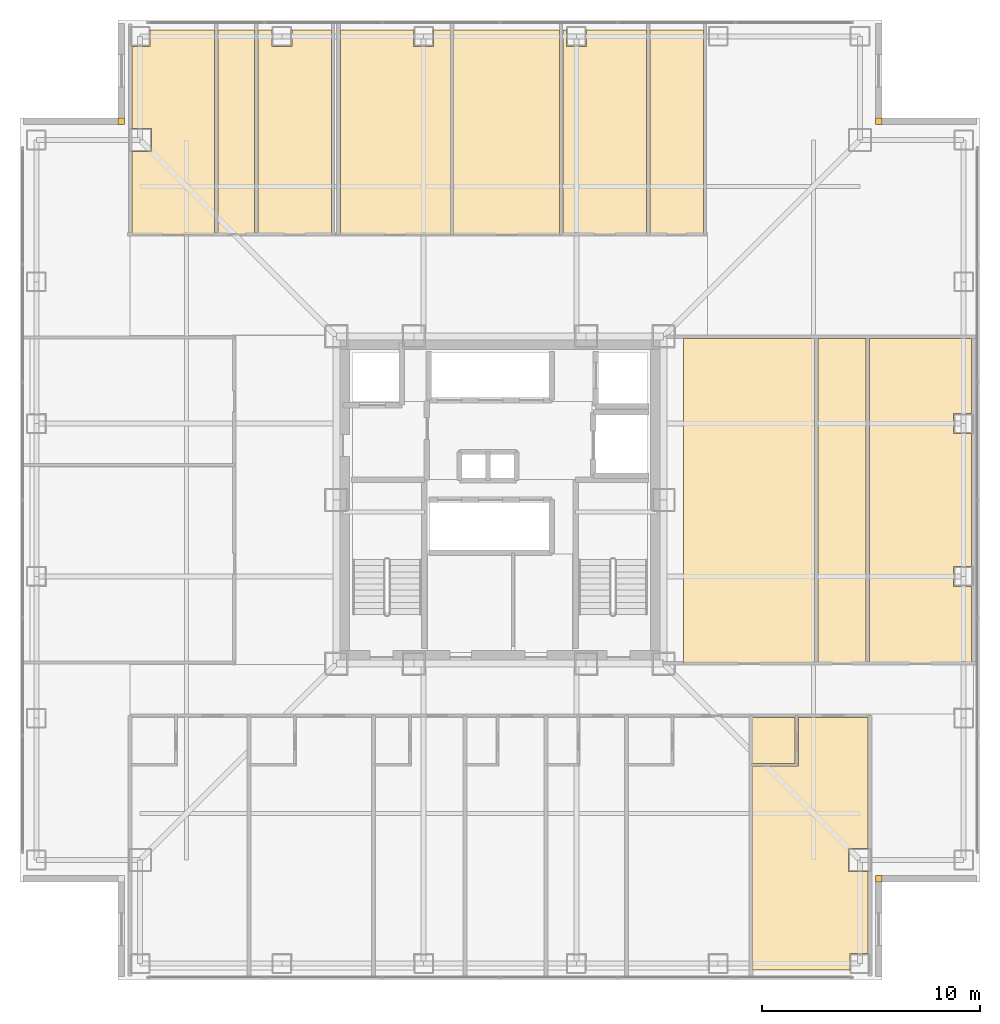
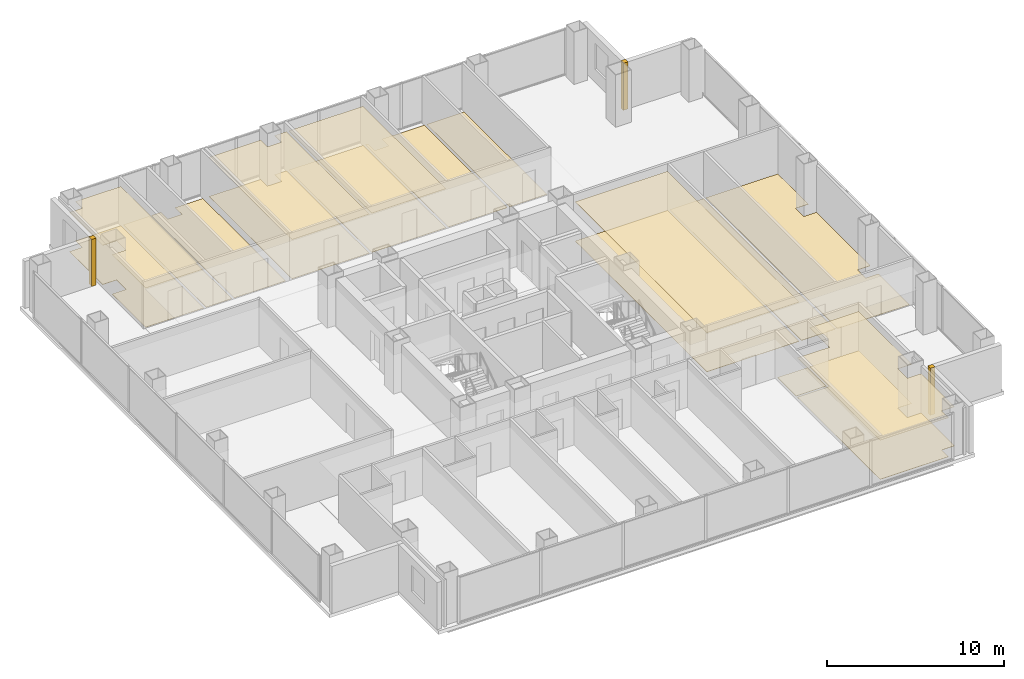
# One storey, part 18 of 18: 20 coverings.
"""IFC4 building model written with IfcOpenShell, lengths in metres."""

import ifcopenshell
import ifcopenshell.guid

model = None  # the IFC model being written
_history = None  # IfcOwnerHistory: only IFC2X3 demands one
_inside = {}  # id of a spatial element -> (the spatial element, [elements in it])
_under = {}  # id of a project, library or spatial element -> (it, [spatial elements below it])
_declared = {}  # id of a project -> (the project, [libraries it declares])
_typed = {}  # id of a type object -> (the type object, [elements of that type])
_made_of = {}  # id of a material, layer set ... -> (it, [elements and type objects made of it])


def new_model(schema):
    """Start an empty IFC model of exactly this schema.

    Asked for "IFC4X3", IfcOpenShell would pick the latest addendum, in which some entities
    have other attributes; the version numbers below select the first issue.
    IFC2X3 requires an IfcOwnerHistory on every rooted entity: one is made here for all.
    """
    global model, _history
    if schema == "IFC4X3":
        model = ifcopenshell.file(schema_version=(4, 3, 0, 0))
    else:
        model = ifcopenshell.file(schema=schema)
    _inside.clear()
    _under.clear()
    _declared.clear()
    _typed.clear()
    _made_of.clear()
    _history = None
    if model.schema == "IFC2X3":
        org = make("IfcOrganization", Name="unknown")
        user = make(
            "IfcPersonAndOrganization",
            ThePerson=make("IfcPerson", FamilyName="unknown"),
            TheOrganization=org,
        )
        app = make(
            "IfcApplication",
            ApplicationDeveloper=org,
            Version="unknown",
            ApplicationFullName="unknown",
            ApplicationIdentifier="unknown",
        )
        _history = make(
            "IfcOwnerHistory",
            OwningUser=user,
            OwningApplication=app,
            ChangeAction="ADDED",
            CreationDate=0,
        )
    return model


def make(cls, **values):
    """One entity of the class cls with the attributes given. An attribute that is None is left unset."""
    return model.create_entity(
        cls, **{name: value for name, value in values.items() if value is not None}
    )


def rooted(cls, **values):
    """An entity with a GlobalId (a new one), such as an element, a storey or a relation."""
    return make(cls, GlobalId=ifcopenshell.guid.new(), OwnerHistory=_history, **values)


def si_unit(unit_type, name, prefix=None):
    """IfcSIUnit, for example si_unit("LENGTHUNIT", "METRE", prefix="MILLI")."""
    return make("IfcSIUnit", UnitType=unit_type, Prefix=prefix, Name=name)


def assignment(units):
    """IfcUnitAssignment: the units of a project."""
    return None if units is None else make("IfcUnitAssignment", Units=units)


def point(xyz):
    """IfcCartesianPoint."""
    return None if xyz is None else make("IfcCartesianPoint", Coordinates=xyz)


def direction(xyz):
    """IfcDirection."""
    return None if xyz is None else make("IfcDirection", DirectionRatios=xyz)


def frame(location, z_axis=None, x_axis=None):
    """IfcAxis2Placement3D, a coordinate frame: its origin and axes. An axis left out is left unset."""
    return make(
        "IfcAxis2Placement3D",
        Location=point(location),
        Axis=direction(z_axis),
        RefDirection=direction(x_axis),
    )


def origin():
    """The frame at (0, 0, 0) with its axes left unset."""
    return frame((0.0, 0.0, 0.0))


def place(relative_to, where):
    """IfcLocalPlacement: puts the frame where relative to a parent placement (None: the world)."""
    return make(
        "IfcLocalPlacement", PlacementRelTo=relative_to, RelativePlacement=where
    )


def context(
    kind, dimensions, precision=None, world=None, true_north=None, identifier=None
):
    """IfcGeometricRepresentationContext, for example the 3D "Model" context."""
    return make(
        "IfcGeometricRepresentationContext",
        ContextIdentifier=identifier,
        ContextType=kind,
        CoordinateSpaceDimension=dimensions,
        Precision=precision,
        WorldCoordinateSystem=world,
        TrueNorth=true_north,
    )


def subcontext(parent, identifier, kind, view, scale=None):
    """IfcGeometricRepresentationSubContext, for example "Body" below "Model"."""
    return make(
        "IfcGeometricRepresentationSubContext",
        ContextIdentifier=identifier,
        ContextType=kind,
        ParentContext=parent,
        TargetScale=scale,
        TargetView=view,
    )


def project(units=None, contexts=None):
    """IfcProject with its units and contexts."""
    return rooted(
        "IfcProject",
        Name="project",
        RepresentationContexts=contexts,
        UnitsInContext=assignment(units),
    )


def spatial(cls, under=None, at=None, **own):
    """A site, building, storey or space (cls), placed at a placement, below another one or the project."""
    s = rooted(cls, ObjectPlacement=at, **own)
    if under is not None:
        _under.setdefault(under.id(), (under, []))[1].append(s)
    return s


def polyline(points):
    """IfcPolyline through the points."""
    return make("IfcPolyline", Points=[point(p) for p in points])


def outline(outer, holes=None, kind="AREA"):
    """IfcArbitraryClosedProfileDef: a profile drawn as a closed curve; with holes, ...WithVoids."""
    if holes is None:
        return make("IfcArbitraryClosedProfileDef", ProfileType=kind, OuterCurve=outer)
    return make(
        "IfcArbitraryProfileDefWithVoids",
        ProfileType=kind,
        OuterCurve=outer,
        InnerCurves=holes,
    )


def extrude(swept, where, along, depth):
    """IfcExtrudedAreaSolid: the profile swept, set in the frame where, extruded along a direction by depth."""
    return make(
        "IfcExtrudedAreaSolid",
        SweptArea=swept,
        Position=where,
        ExtrudedDirection=direction(along),
        Depth=depth,
    )


def shape(context_of_items, identifier, shape_type, items):
    """IfcShapeRepresentation: the items that make up one representation, for example the "Body"."""
    return make(
        "IfcShapeRepresentation",
        ContextOfItems=context_of_items,
        RepresentationIdentifier=identifier,
        RepresentationType=shape_type,
        Items=items,
    )


def material(Name=None, Category=None):
    """IfcMaterial."""
    return make("IfcMaterial", Name=Name, Category=Category)


def layer(
    of_material, thickness, ventilated=None, Name=None, Category=None, Priority=None
):
    """IfcMaterialLayer: one layer of a wall or slab, of a material (None: an air gap)."""
    return make(
        "IfcMaterialLayer",
        Material=of_material,
        LayerThickness=thickness,
        IsVentilated=ventilated,
        Name=Name,
        Category=Category,
        Priority=Priority,
    )


def layer_set(layers, Name=None):
    """IfcMaterialLayerSet."""
    return make("IfcMaterialLayerSet", MaterialLayers=layers, LayerSetName=Name)


def made_of(thing, what):
    """Note that an element or type object is made of a material, layer set ...; save() writes the relation."""
    if what is not None:
        _made_of.setdefault(what.id(), (what, []))[1].append(thing)
    return thing


def type_object(cls, material=None, **own):
    """A type object (cls), such as IfcWallType, which elements share."""
    return made_of(rooted(cls, **own), material)


def element(
    cls,
    number,
    at=None,
    inside=None,
    cuts=None,
    type_object=None,
    material=None,
    context=None,
    identifier="Body",
    shape_type=None,
    held_by="IfcProductDefinitionShape",
    body=None,
    shapes=None,
    **own,
):
    """One element of the class cls, such as IfcWall. Its Tag is "e" and its number.

    at: its placement. inside: the storey or other place that contains it. cuts: it is an
    opening in that element (IfcRelVoidsElement). A single representation is given by context,
    identifier, shape_type and body (its items); several are given by shapes. held_by: the class
    of the entity that holds the representations. save() writes the other relations.
    """
    e = rooted(cls, Tag="e%d" % number, ObjectPlacement=at, **own)
    if body is not None:
        shapes = [shape(context, identifier, shape_type, body)]
    if shapes is not None:
        e.Representation = make(held_by, Representations=shapes)
    if inside is not None:
        _inside.setdefault(inside.id(), (inside, []))[1].append(e)
    if cuts is not None:
        rooted(
            "IfcRelVoidsElement", RelatingBuildingElement=cuts, RelatedOpeningElement=e
        )
    if type_object is not None:
        _typed.setdefault(type_object.id(), (type_object, []))[1].append(e)
    return made_of(e, material)


def aggregate(whole, parts):
    """IfcRelAggregates: a whole, such as a stair, and the parts it consists of."""
    return rooted("IfcRelAggregates", RelatingObject=whole, RelatedObjects=parts)


def save(model, path):
    """Write the relations noted so far, then the file.

    IfcRelAggregates (storeys below a building ...), IfcRelContainedInSpatialStructure (elements
    in a storey), IfcRelDefinesByType, IfcRelAssociatesMaterial and IfcRelDeclares: one each for
    every whole, place, type object, material and project.
    """
    for whole, parts in _under.values():
        aggregate(whole, parts)
    for where, things in _inside.values():
        rooted(
            "IfcRelContainedInSpatialStructure",
            RelatedElements=things,
            RelatingStructure=where,
        )
    for kind, things in _typed.values():
        rooted("IfcRelDefinesByType", RelatedObjects=things, RelatingType=kind)
    for what, things in _made_of.values():
        rooted("IfcRelAssociatesMaterial", RelatedObjects=things, RelatingMaterial=what)
    for by, libraries in _declared.values():
        rooted("IfcRelDeclares", RelatingContext=by, RelatedDefinitions=libraries)
    model.write(path)


model = new_model("IFC4")

# Units and contexts
model_context = context("Model", 3, precision=1e-05, world=origin(), true_north=direction((0.0, 1.0)))
body_context = subcontext(model_context, "Body", "Model", "MODEL_VIEW")
ifc_project = project(units=[si_unit("LENGTHUNIT", "METRE"), si_unit("AREAUNIT", "SQUARE_METRE"), si_unit("VOLUMEUNIT", "CUBIC_METRE"), si_unit("PLANEANGLEUNIT", "RADIAN"), si_unit("MASSUNIT", "GRAM", prefix="KILO")], contexts=[model_context])

# Site, building, storey
site_placement = place(None, origin())
site = spatial("IfcSite", under=ifc_project, at=site_placement, CompositionType="ELEMENT")
building_placement = place(site_placement, origin())
building = spatial("IfcBuilding", under=site, at=building_placement, Name="Trevonay Congress Spire", CompositionType="ELEMENT")
storey_placement = place(building_placement, frame((0.0, 0.0, 151.60009765625)))
storey = spatial("IfcBuildingStorey", under=building, at=storey_placement, Name="L39", CompositionType="ELEMENT", Elevation=151.60009765625)

# Coverings
ifc_material_1 = material(Name="Acoustic Mineral Fibre Board", Category="gypsum")
ifc_layer_1 = layer(ifc_material_1, 0.02490234375, Name="Acoustic Mineral Fibre Board")
ifc_layer_set_1 = layer_set([ifc_layer_1], Name="Acoustic Mineral Fibre Board")
covering_type_1 = type_object("IfcCoveringType", Name="COV-CEIL-ACOUSTIC", PredefinedType="CEILING", material=ifc_layer_set_1)
covering_1_placement = place(storey_placement, frame((0.0, 0.0, 2.699951171875)))
element("IfcCovering", 1, at=covering_1_placement, inside=storey, type_object=covering_type_1, Name="L39 Hotel Guest Room acoustic suspended ceiling", PredefinedType="CEILING", context=body_context, shape_type="SweptSolid", body=[
    extrude(outline(polyline([(11.580078125, -21.550048828125), (11.580078125, -12.18994140625), (13.669921875, -12.18994140625), (13.669921875, -9.9599609375), (16.8701171875, -9.9599609375), (16.8701171875, -15.965087890625), (15.965087890625, -15.965087890625), (15.965087890625, -17.034912109375), (16.8701171875, -17.034912109375), (16.8701171875, -20.7900390625), (16.0400390625, -20.7900390625), (16.0400390625, -21.550048828125), (11.580078125, -21.550048828125)])), origin(), (0.0, 0.0, 1.0), 0.02490234375),
])
covering_2_placement = place(storey_placement, frame((0.0, 0.0, 2.699951171875)))
element("IfcCovering", 2, at=covering_2_placement, inside=storey, type_object=covering_type_1, Name="L39 Treaty Delegation Office acoustic suspended ceiling", PredefinedType="CEILING", context=body_context, shape_type="SweptSolid", body=[
    extrude(outline(polyline([(-13.080078125, 21.550048828125), (-13.080078125, 12.179931640625), (-16.8701171875, 12.179931640625), (-16.8701171875, 15.965087890625), (-15.965087890625, 15.965087890625), (-15.965087890625, 17.034912109375), (-16.8701171875, 17.034912109375), (-16.8701171875, 20.7900390625), (-16.0400390625, 20.7900390625), (-16.0400390625, 21.550048828125), (-13.080078125, 21.550048828125)])), origin(), (0.0, 0.0, 1.0), 0.02490234375),
])
covering_3_placement = place(storey_placement, frame((0.0, 0.0, 2.699951171875)))
element("IfcCovering", 3, at=covering_3_placement, inside=storey, type_object=covering_type_1, Name="L39 Protocol Advisors Office 1 acoustic suspended ceiling", PredefinedType="CEILING", context=body_context, shape_type="SweptSolid", body=[
    extrude(outline(polyline([(-2.280029296875, 21.550048828125), (-2.280029296875, 12.179931640625), (-7.320068359375, 12.179931640625), (-7.320068359375, 21.550048828125), (-3.9599609375, 21.550048828125), (-3.9599609375, 20.7900390625), (-3.0400390625, 20.7900390625), (-3.0400390625, 21.550048828125), (-2.280029296875, 21.550048828125)])), origin(), (0.0, 0.0, 1.0), 0.02490234375),
])
covering_4_placement = place(storey_placement, frame((0.0, 0.0, 2.699951171875)))
element("IfcCovering", 4, at=covering_4_placement, inside=storey, type_object=covering_type_1, Name="L39 Protocol Advisors Office 2 acoustic suspended ceiling", PredefinedType="CEILING", context=body_context, shape_type="SweptSolid", body=[
    extrude(outline(polyline([(-2.1201171875, 12.179931640625), (2.719970703125, 12.179931640625), (2.719970703125, 21.550048828125), (-2.1201171875, 21.550048828125), (-2.1201171875, 12.179931640625)])), origin(), (0.0, 0.0, 1.0), 0.02490234375),
])
covering_5_placement = place(storey_placement, frame((0.0, 0.0, 2.699951171875)))
element("IfcCovering", 5, at=covering_5_placement, inside=storey, type_object=covering_type_1, Name="L39 Security Liaison Office acoustic suspended ceiling", PredefinedType="CEILING", context=body_context, shape_type="SweptSolid", body=[
    extrude(outline(polyline([(8.39990234375, -7.47998046875), (14.419921875, -7.47998046875), (14.419921875, 7.39990234375), (8.39990234375, 7.39990234375), (8.39990234375, -7.47998046875)])), origin(), (0.0, 0.0, 1.0), 0.02490234375),
])
ifc_material_2 = material(Name="Polished Granite Floor Tile", Category="masonry")
ifc_layer_2 = layer(ifc_material_2, 0.02001953125, Name="Polished Granite Floor Tile")
ifc_layer_set_2 = layer_set([ifc_layer_2], Name="Polished Granite Floor Tile")
covering_type_2 = type_object("IfcCoveringType", Name="COV-FLOOR-STONE", PredefinedType="FLOORING", material=ifc_layer_set_2)
covering_6_placement = place(storey_placement, origin())
element("IfcCovering", 6, at=covering_6_placement, inside=storey, type_object=covering_type_2, Name="L39 En-suite Bathroom floor finish", PredefinedType="FLOORING", context=body_context, shape_type="SweptSolid", body=[
    extrude(outline(polyline([(11.580078125, -12.070068359375), (13.530029296875, -12.070068359375), (13.530029296875, -9.9599609375), (11.580078125, -9.9599609375), (11.580078125, -12.070068359375)])), origin(), (0.0, 0.0, 1.0), 0.02001953125),
])
covering_7_placement = place(storey_placement, origin())
element("IfcCovering", 7, at=covering_7_placement, inside=storey, type_object=covering_type_2, Name="L39 Accessible WC floor finish", PredefinedType="FLOORING", context=body_context, shape_type="SweptSolid", body=[
    extrude(outline(polyline([(-12.919921875, 12.179931640625), (-11.25, 12.179931640625), (-11.25, 21.550048828125), (-12.919921875, 21.550048828125), (-12.919921875, 12.179931640625)])), origin(), (0.0, 0.0, 1.0), 0.02001953125),
])
covering_8_placement = place(storey_placement, origin())
element("IfcCovering", 8, at=covering_8_placement, inside=storey, type_object=covering_type_2, Name="L39 Floor Supplies and Copy Room floor finish", PredefinedType="FLOORING", context=body_context, shape_type="SweptSolid", body=[
    extrude(outline(polyline([(-7.72998046875, 21.550048828125), (-7.72998046875, 12.179931640625), (-11.090087890625, 12.179931640625), (-11.090087890625, 21.550048828125), (-10.4599609375, 21.550048828125), (-10.4599609375, 20.7900390625), (-9.5400390625, 20.7900390625), (-9.5400390625, 21.550048828125), (-7.72998046875, 21.550048828125)])), origin(), (0.0, 0.0, 1.0), 0.02001953125),
])
covering_9_placement = place(storey_placement, origin())
element("IfcCovering", 9, at=covering_9_placement, inside=storey, type_object=covering_type_2, Name="L39 Housekeeping and Linen Room floor finish", PredefinedType="FLOORING", context=body_context, shape_type="SweptSolid", body=[
    extrude(outline(polyline([(6.719970703125, 21.550048828125), (6.719970703125, 12.179931640625), (2.8798828125, 12.179931640625), (2.8798828125, 21.550048828125), (3.0400390625, 21.550048828125), (3.0400390625, 20.7900390625), (3.9599609375, 20.7900390625), (3.9599609375, 21.550048828125), (6.719970703125, 21.550048828125)])), origin(), (0.0, 0.0, 1.0), 0.02001953125),
])
covering_10_placement = place(storey_placement, origin())
element("IfcCovering", 10, at=covering_10_placement, inside=storey, type_object=covering_type_2, Name="L39 Female Restroom WC floor finish", PredefinedType="FLOORING", context=body_context, shape_type="SweptSolid", body=[
    extrude(outline(polyline([(6.8798828125, 12.179931640625), (9.320068359375, 12.179931640625), (9.320068359375, 21.550048828125), (6.8798828125, 21.550048828125), (6.8798828125, 12.179931640625)])), origin(), (0.0, 0.0, 1.0), 0.02001953125),
])
covering_11_placement = place(storey_placement, origin())
element("IfcCovering", 11, at=covering_11_placement, inside=storey, type_object=covering_type_2, Name="L39 Male Restroom WC floor finish", PredefinedType="FLOORING", context=body_context, shape_type="SweptSolid", body=[
    extrude(outline(polyline([(14.580078125, -7.47998046875), (16.77001953125, -7.47998046875), (16.77001953125, 7.39990234375), (14.580078125, 7.39990234375), (14.580078125, -7.47998046875)])), origin(), (0.0, 0.0, 1.0), 0.02001953125),
])
covering_12_placement = place(storey_placement, origin())
element("IfcCovering", 12, at=covering_12_placement, inside=storey, type_object=covering_type_2, Name="L39 Floor Supplies and Copy Room floor finish", PredefinedType="FLOORING", context=body_context, shape_type="SweptSolid", body=[
    extrude(outline(polyline([(21.6201171875, -7.47998046875), (16.929931640625, -7.47998046875), (16.929931640625, 7.39990234375), (21.6201171875, 7.39990234375), (21.6201171875, 3.9599609375), (20.7900390625, 3.9599609375), (20.7900390625, 3.0400390625), (21.6201171875, 3.0400390625), (21.6201171875, -3.0400390625), (20.7900390625, -3.0400390625), (20.7900390625, -3.9599609375), (21.6201171875, -3.9599609375), (21.6201171875, -7.47998046875)])), origin(), (0.0, 0.0, 1.0), 0.02001953125),
])
ifc_material_3 = material(Name="Engineered Oak Flooring", Category="wood")
ifc_layer_3 = layer(ifc_material_3, 0.01806640625, Name="Engineered Oak Flooring")
ifc_layer_set_3 = layer_set([ifc_layer_3], Name="Engineered Oak Flooring")
covering_type_3 = type_object("IfcCoveringType", Name="COV-FLOOR-TIMBER", PredefinedType="FLOORING", material=ifc_layer_set_3)
covering_13_placement = place(storey_placement, origin())
element("IfcCovering", 13, at=covering_13_placement, inside=storey, type_object=covering_type_3, Name="L39 Hotel Guest Room floor finish", PredefinedType="FLOORING", context=body_context, shape_type="SweptSolid", body=[
    extrude(outline(polyline([(11.580078125, -21.550048828125), (11.580078125, -12.18994140625), (13.669921875, -12.18994140625), (13.669921875, -9.9599609375), (16.8701171875, -9.9599609375), (16.8701171875, -15.965087890625), (15.965087890625, -15.965087890625), (15.965087890625, -17.034912109375), (16.8701171875, -17.034912109375), (16.8701171875, -20.7900390625), (16.0400390625, -20.7900390625), (16.0400390625, -21.550048828125), (11.580078125, -21.550048828125)])), origin(), (0.0, 0.0, 1.0), 0.017822265625),
])
covering_14_placement = place(storey_placement, origin())
element("IfcCovering", 14, at=covering_14_placement, inside=storey, type_object=covering_type_3, Name="L39 Treaty Delegation Office floor finish", PredefinedType="FLOORING", context=body_context, shape_type="SweptSolid", body=[
    extrude(outline(polyline([(-13.080078125, 21.550048828125), (-13.080078125, 12.179931640625), (-16.8701171875, 12.179931640625), (-16.8701171875, 15.965087890625), (-15.965087890625, 15.965087890625), (-15.965087890625, 17.034912109375), (-16.8701171875, 17.034912109375), (-16.8701171875, 20.7900390625), (-16.0400390625, 20.7900390625), (-16.0400390625, 21.550048828125), (-13.080078125, 21.550048828125)])), origin(), (0.0, 0.0, 1.0), 0.017822265625),
])
covering_15_placement = place(storey_placement, origin())
element("IfcCovering", 15, at=covering_15_placement, inside=storey, type_object=covering_type_3, Name="L39 Protocol Advisors Office 1 floor finish", PredefinedType="FLOORING", context=body_context, shape_type="SweptSolid", body=[
    extrude(outline(polyline([(-2.280029296875, 21.550048828125), (-2.280029296875, 12.179931640625), (-7.320068359375, 12.179931640625), (-7.320068359375, 21.550048828125), (-3.9599609375, 21.550048828125), (-3.9599609375, 20.7900390625), (-3.0400390625, 20.7900390625), (-3.0400390625, 21.550048828125), (-2.280029296875, 21.550048828125)])), origin(), (0.0, 0.0, 1.0), 0.017822265625),
])
covering_16_placement = place(storey_placement, origin())
element("IfcCovering", 16, at=covering_16_placement, inside=storey, type_object=covering_type_3, Name="L39 Protocol Advisors Office 2 floor finish", PredefinedType="FLOORING", context=body_context, shape_type="SweptSolid", body=[
    extrude(outline(polyline([(-2.1201171875, 12.179931640625), (2.719970703125, 12.179931640625), (2.719970703125, 21.550048828125), (-2.1201171875, 21.550048828125), (-2.1201171875, 12.179931640625)])), origin(), (0.0, 0.0, 1.0), 0.017822265625),
])
covering_17_placement = place(storey_placement, origin())
element("IfcCovering", 17, at=covering_17_placement, inside=storey, type_object=covering_type_3, Name="L39 Security Liaison Office floor finish", PredefinedType="FLOORING", context=body_context, shape_type="SweptSolid", body=[
    extrude(outline(polyline([(8.39990234375, -7.47998046875), (14.419921875, -7.47998046875), (14.419921875, 7.39990234375), (8.39990234375, 7.39990234375), (8.39990234375, -7.47998046875)])), origin(), (0.0, 0.0, 1.0), 0.017822265625),
])
ifc_material_4 = material(Name="Pale Anodised Aluminium EN AW-6063-T6", Category="aluminium")
ifc_layer_4 = layer(ifc_material_4, 0.0400390625, Name="Pale Anodised Aluminium EN AW-6063-T6")
ifc_layer_set_4 = layer_set([ifc_layer_4], Name="Pale Anodised Aluminium EN AW-6063-T6")
covering_type_4 = type_object("IfcCoveringType", Name="COV-SPANDREL-PALE-METAL", PredefinedType="CLADDING", material=ifc_layer_set_4)
covering_18_placement = place(storey_placement, origin())
element("IfcCovering", 18, at=covering_18_placement, inside=storey, type_object=covering_type_4, Name="L39 SE re-entrant notch corner closure trim", PredefinedType="CLADDING", context=body_context, shape_type="SweptSolid", body=[
    extrude(outline(polyline([(17.199951171875, -17.5), (17.5, -17.5), (17.5, -17.199951171875), (17.199951171875, -17.199951171875), (17.199951171875, -17.5)])), origin(), (0.0, 0.0, 1.0), 3.25),
])
covering_19_placement = place(storey_placement, origin())
element("IfcCovering", 19, at=covering_19_placement, inside=storey, type_object=covering_type_4, Name="L39 NE re-entrant notch corner closure trim", PredefinedType="CLADDING", context=body_context, shape_type="SweptSolid", body=[
    extrude(outline(polyline([(17.199951171875, 17.199951171875), (17.5, 17.199951171875), (17.5, 17.5), (17.199951171875, 17.5), (17.199951171875, 17.199951171875)])), origin(), (0.0, 0.0, 1.0), 3.25),
])
covering_20_placement = place(storey_placement, origin())
element("IfcCovering", 20, at=covering_20_placement, inside=storey, type_object=covering_type_4, Name="L39 NW re-entrant notch corner closure trim", PredefinedType="CLADDING", context=body_context, shape_type="SweptSolid", body=[
    extrude(outline(polyline([(-17.5, 17.199951171875), (-17.199951171875, 17.199951171875), (-17.199951171875, 17.5), (-17.5, 17.5), (-17.5, 17.199951171875)])), origin(), (0.0, 0.0, 1.0), 3.25),
])

save(model, "model.ifc")
